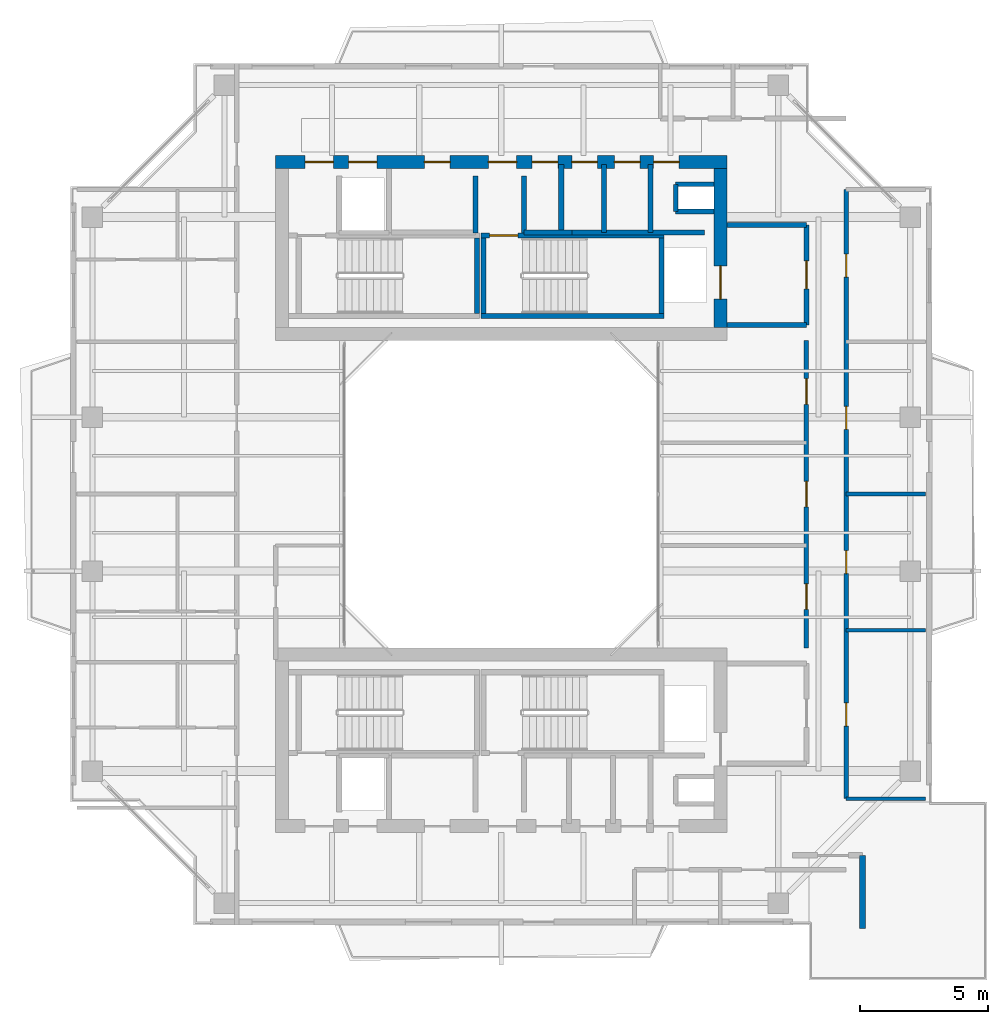
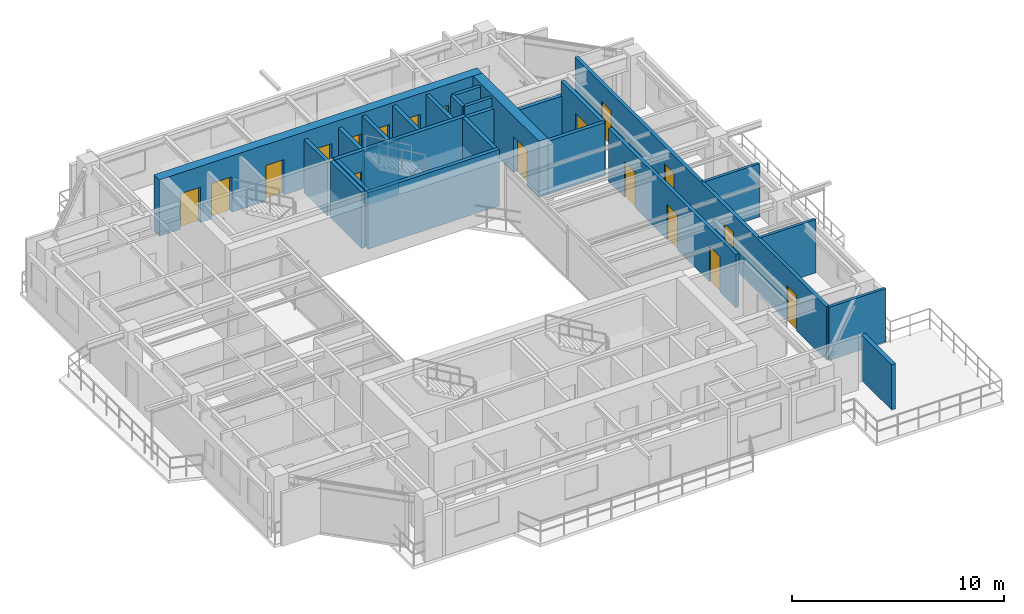
# One storey, part 12 of 15: 26 walls, 18 doors, 18 openings.
"""IFC4 building model written with IfcOpenShell, lengths in metres."""

from ifc_helpers import new_model, si_unit, direction, frame, frame_2d, origin, place, context, subcontext, project, spatial, rectangle, extrude, source, transform, mapped, material, layer, layer_set, type_object, element, fill, save


model = new_model("IFC4")

# Units and contexts
model_context = context("Model", 3, precision=1e-05, world=origin(), true_north=direction((0.0, 1.0)))
body_context = subcontext(model_context, "Body", "Model", "MODEL_VIEW")
ifc_project = project(units=[si_unit("LENGTHUNIT", "METRE"), si_unit("AREAUNIT", "SQUARE_METRE"), si_unit("VOLUMEUNIT", "CUBIC_METRE"), si_unit("PLANEANGLEUNIT", "RADIAN"), si_unit("MASSUNIT", "GRAM", prefix="KILO"), si_unit("THERMODYNAMICTEMPERATUREUNIT", "KELVIN"), si_unit("POWERUNIT", "WATT")], contexts=[model_context])

# Site, building, storey
site_placement = place(None, origin())
site = spatial("IfcSite", under=ifc_project, at=site_placement, CompositionType="ELEMENT")
building_placement = place(site_placement, origin())
building = spatial("IfcBuilding", under=site, at=building_placement, Name="Qiaomeng Ring Towers", CompositionType="ELEMENT")
storey_placement = place(building_placement, frame((0.0, 0.0, 213.25)))
storey = spatial("IfcBuildingStorey", under=building, at=storey_placement, Name="L62", CompositionType="ELEMENT", Elevation=213.25)

# Walls
ifc_material_1 = material(Name="Precast concrete C40", Category="concrete")
ifc_layer_1 = layer(ifc_material_1, 0.219970703125, Name="Precast concrete C40")
ifc_layer_set_1 = layer_set([ifc_layer_1], Name="Precast concrete C40")
wall_type_1 = type_object("IfcWallType", Name="ARC-WL-EW2", PredefinedType="STANDARD", material=ifc_layer_set_1)
wall_1_placement = place(storey_placement, frame((33.090087890625, 6.050048828125, 0.0), z_axis=(0.0, 0.0, 1.0), x_axis=(0.0, 1.0, 0.0)))
element("IfcWall", 1, at=wall_1_placement, inside=storey, type_object=wall_type_1, Name="L62 Spiral Terrace Return Wall SE", PredefinedType="STANDARD", context=body_context, shape_type="SweptSolid", body=[
    extrude(rectangle(XDim=2.85986328125, YDim=0.219970703125, at=frame_2d((1.429931640625, 0.0))), origin(), (0.0, 0.0, 1.0), 2.610107421875),
])
ifc_material_2 = material(Name="Autoclaved aerated concrete block", Category="concrete")
ifc_layer_2 = layer(ifc_material_2, 0.199951171875, Name="Autoclaved aerated concrete block")
ifc_layer_set_2 = layer_set([ifc_layer_2], Name="Autoclaved aerated concrete block")
wall_type_2 = type_object("IfcWallType", Name="ARC-WL-PW1", PredefinedType="PARTITIONING", material=ifc_layer_set_2)
wall_2_placement = place(storey_placement, frame((27.800048828125, 29.60009765625, 0.0), z_axis=(0.0, 0.0, 1.0), x_axis=(1.0, 0.0, 0.0)))
element("IfcWall", 2, at=wall_2_placement, inside=storey, type_object=wall_type_2, Name="L62 Interior Wall PW1", PredefinedType="PARTITIONING", context=body_context, shape_type="SweptSolid", body=[
    extrude(rectangle(XDim=3.099853515625, YDim=0.199951171875, at=frame_2d((1.5498046875, 0.0))), origin(), (0.0, 0.0, 1.0), 3.070068359375),
])
wall_3_placement = place(storey_placement, frame((27.800048828125, 33.5, 0.0), z_axis=(0.0, 0.0, 1.0), x_axis=(1.0, 0.0, 0.0)))
element("IfcWall", 3, at=wall_3_placement, inside=storey, type_object=wall_type_2, Name="L62 Interior Wall PW1", PredefinedType="PARTITIONING", context=body_context, shape_type="SweptSolid", body=[
    extrude(rectangle(XDim=3.099853515625, YDim=0.199951171875, at=frame_2d((1.5498046875, 0.0))), origin(), (0.0, 0.0, 1.0), 2.264892578125),
])

# Wall, opening, door
wall_4_placement = place(storey_placement, frame((30.89990234375, 29.60009765625, 0.0), z_axis=(0.0, 0.0, 1.0), x_axis=(0.0, 1.0, 0.0)))
wall_4 = element("IfcWall", 4, at=wall_4_placement, inside=storey, type_object=wall_type_2, Name="L62 Interior Wall PW1", PredefinedType="PARTITIONING", context=body_context, shape_type="SweptSolid", body=[
    extrude(rectangle(XDim=3.89990234375, YDim=0.199951171875, at=frame_2d((1.949951171875, 0.0))), origin(), (0.0, 0.0, 1.0), 3.070068359375),
])
opening_1_placement = place(wall_4_placement, frame((1.39990234375, 0.0, 0.0)))
opening_1 = element("IfcOpeningElement", 5, at=opening_1_placement, cuts=wall_4, Name="Opening FD3", PredefinedType="OPENING", context=body_context, shape_type="SweptSolid", body=[
    extrude(rectangle(XDim=1.10009765625, YDim=2.050048828125, at=frame_2d((0.550048828125, 1.02490234375))), frame((0.0, 0.10986328125, 0.0), z_axis=(0.0, -1.0, 0.0), x_axis=(1.0, 0.0, 0.0)), (0.0, 0.0, 1.0), 0.219970703125),
])
ifc_material_3 = material(Name="Galvanised steel", Category="steel")
door_type_1 = type_object("IfcDoorType", Name="ARC-DR-FD3", OperationType="NOTDEFINED", PredefinedType="DOOR", material=ifc_material_3)
shared_shape_1 = source(origin(), body_context, "Body", "SweptSolid", [
    extrude(rectangle(XDim=1.10009765625, YDim=2.050048828125, at=frame_2d((0.550048828125, 1.02490234375))), frame((0.0, 0.02490234375, 0.0), z_axis=(0.0, -1.0, 0.0), x_axis=(1.0, 0.0, 0.0)), (0.0, 0.0, 1.0), 0.050048828125),
])
door_1_placement = place(opening_1_placement, origin())
door_1 = element("IfcDoor", 6, at=door_1_placement, inside=storey, type_object=door_type_1, Name="L62 North FF Lobby Door", OperationType="SINGLE_SWING_LEFT", OverallHeight=2.050048828125, OverallWidth=1.10009765625, PredefinedType="DOOR", context=body_context, shape_type="MappedRepresentation", body=[
    mapped(shared_shape_1, transform((0.0, 0.0, 0.0), x_axis=(1.0, 0.0, 0.0), y_axis=(0.0, 1.0, 0.0), z_axis=(0.0, 0.0, 1.0), scale=1.0)),
])
fill(opening_1, door_1)

# Walls
for number, where, z_axis, x_axis, name in (
    (7, (18.0, 33.18994140625, 0.0), (0.0, 0.0, 1.0), (0.0, 1.0, 0.0), "L62 Interior Wall PW1"),
    (8, (19.8798828125, 33.18994140625, 0.0), (0.0, 0.0, 1.0), (0.0, 1.0, 0.0), "L62 Interior Wall PW1"),
):
    element("IfcWall", number, at=place(storey_placement, frame(where, z_axis=z_axis, x_axis=x_axis)), inside=storey, type_object=wall_type_2, Name=name, PredefinedType="PARTITIONING", context=body_context, shape_type="SweptSolid", body=[
        extrude(rectangle(XDim=2.2099609375, YDim=0.199951171875, at=frame_2d((1.10498046875, 0.0))), origin(), (0.0, 0.0, 1.0), 3.070068359375),
    ])
wall_5_placement = place(storey_placement, frame((24.820068359375, 33.199951171875, 0.0), z_axis=(0.0, 0.0, 1.0), x_axis=(0.0, 1.0, 0.0)))
element("IfcWall", 9, at=wall_5_placement, inside=storey, type_object=wall_type_2, Name="L62 Interior Wall PW1", PredefinedType="PARTITIONING", context=body_context, shape_type="SweptSolid", body=[
    extrude(rectangle(XDim=2.650146484375, YDim=0.199951171875, at=frame_2d((1.3251953125, 0.0))), origin(), (0.0, 0.0, 1.0), 3.070068359375),
])
wall_6_placement = place(storey_placement, frame((19.8798828125, 33.199951171875, 0.0), z_axis=(0.0, 0.0, 1.0), x_axis=(1.0, 0.0, 0.0)))
element("IfcWall", 10, at=wall_6_placement, inside=storey, type_object=wall_type_2, Name="L62 Interior Wall PW1", PredefinedType="PARTITIONING", context=body_context, shape_type="SweptSolid", body=[
    extrude(rectangle(XDim=1.8701171875, YDim=0.199951171875, at=frame_2d((0.93505859375, 0.0))), origin(), (0.0, 0.0, 1.0), 3.070068359375),
])
for number, where, z_axis, x_axis, name in (
    (11, (21.340087890625, 33.199951171875, 0.0), (0.0, 0.0, 1.0), (0.0, 1.0, 0.0), "L62 Interior Wall PW1"),
    (12, (23.010009765625, 33.199951171875, 0.0), (0.0, 0.0, 1.0), (0.0, 1.0, 0.0), "L62 Interior Wall PW1"),
):
    element("IfcWall", number, at=place(storey_placement, frame(where, z_axis=z_axis, x_axis=x_axis)), inside=storey, type_object=wall_type_2, Name=name, PredefinedType="PARTITIONING", context=body_context, shape_type="SweptSolid", body=[
        extrude(rectangle(XDim=2.650146484375, YDim=0.199951171875, at=frame_2d((1.3251953125, 0.0))), origin(), (0.0, 0.0, 1.0), 3.070068359375),
    ])
wall_7_placement = place(storey_placement, frame((21.75, 33.199951171875, 0.0), z_axis=(0.0, 0.0, 1.0), x_axis=(1.0, 0.0, 0.0)))
element("IfcWall", 13, at=wall_7_placement, inside=storey, type_object=wall_type_2, Name="L62 Interior Wall PW1", PredefinedType="PARTITIONING", context=body_context, shape_type="SweptSolid", body=[
    extrude(rectangle(XDim=5.169921875, YDim=0.199951171875, at=frame_2d((2.5849609375, 0.0))), origin(), (0.0, 0.0, 1.0), 3.070068359375),
])

# Wall, openings, doors
ifc_layer_3 = layer(ifc_material_2, 0.179931640625, Name="Autoclaved aerated concrete block")
ifc_layer_set_3 = layer_set([ifc_layer_3], Name="Autoclaved aerated concrete block")
wall_type_3 = type_object("IfcWallType", Name="ARC-WL-PW2", PredefinedType="PARTITIONING", material=ifc_layer_set_3)
wall_8_placement = place(storey_placement, frame((30.89990234375, 17.0, 0.0), z_axis=(0.0, 0.0, 1.0), x_axis=(0.0, 1.0, 0.0)))
wall_8 = element("IfcWall", 14, at=wall_8_placement, inside=storey, type_object=wall_type_3, Name="L62 Interior Wall PW2", PredefinedType="PARTITIONING", context=body_context, shape_type="SweptSolid", body=[
    extrude(rectangle(XDim=12.0, YDim=0.179931640625, at=frame_2d((6.0, 0.0))), origin(), (0.0, 0.0, 1.0), 3.070068359375),
])
opening_2_placement = place(wall_8_placement, frame((1.5, 0.0, 0.0)))
opening_2 = element("IfcOpeningElement", 15, at=opening_2_placement, cuts=wall_8, Name="Opening FD4", PredefinedType="OPENING", context=body_context, shape_type="SweptSolid", body=[
    extrude(rectangle(XDim=1.0, YDim=2.050048828125, at=frame_2d((0.5, 1.02490234375))), frame((0.0, 0.099853515625, 0.0), z_axis=(0.0, -1.0, 0.0), x_axis=(1.0, 0.0, 0.0)), (0.0, 0.0, 1.0), 0.199951171875),
])
opening_3_placement = place(wall_8_placement, frame((5.5, 0.0, 0.0)))
opening_3 = element("IfcOpeningElement", 16, at=opening_3_placement, cuts=wall_8, Name="Opening FD4", PredefinedType="OPENING", context=body_context, shape_type="SweptSolid", body=[
    extrude(rectangle(XDim=1.0, YDim=2.050048828125, at=frame_2d((0.5, 1.02490234375))), frame((0.0, 0.099853515625, 0.0), z_axis=(0.0, -1.0, 0.0), x_axis=(1.0, 0.0, 0.0)), (0.0, 0.0, 1.0), 0.199951171875),
])
opening_4_placement = place(wall_8_placement, frame((9.5, 0.0, 0.0)))
opening_4 = element("IfcOpeningElement", 17, at=opening_4_placement, cuts=wall_8, Name="Opening FD4", PredefinedType="OPENING", context=body_context, shape_type="SweptSolid", body=[
    extrude(rectangle(XDim=1.0, YDim=2.050048828125, at=frame_2d((0.5, 1.02490234375))), frame((0.0, 0.099853515625, 0.0), z_axis=(0.0, -1.0, 0.0), x_axis=(1.0, 0.0, 0.0)), (0.0, 0.0, 1.0), 0.199951171875),
])
ifc_material_4 = material(Name="Engineered fire-rated oak timber", Category="wood")
door_type_2 = type_object("IfcDoorType", Name="ARC-DR-FD4", OperationType="NOTDEFINED", PredefinedType="DOOR", material=ifc_material_4)
shared_shape_2 = source(origin(), body_context, "Body", "SweptSolid", [
    extrude(rectangle(XDim=1.0, YDim=2.050048828125, at=frame_2d((0.5, 1.02490234375))), frame((0.0, 0.02490234375, 0.0), z_axis=(0.0, -1.0, 0.0), x_axis=(1.0, 0.0, 0.0)), (0.0, 0.0, 1.0), 0.050048828125),
])
door_2_placement = place(opening_2_placement, origin())
door_2 = element("IfcDoor", 18, at=door_2_placement, inside=storey, type_object=door_type_2, Name="L62 Door FD4", OperationType="SINGLE_SWING_RIGHT", OverallHeight=2.050048828125, OverallWidth=1.0, PredefinedType="DOOR", context=body_context, shape_type="MappedRepresentation", body=[
    mapped(shared_shape_2, transform((0.0, 0.0, 0.0), x_axis=(1.0, 0.0, 0.0), y_axis=(0.0, 1.0, 0.0), z_axis=(0.0, 0.0, 1.0), scale=1.0)),
])
fill(opening_2, door_2)
door_3_placement = place(opening_3_placement, origin())
door_3 = element("IfcDoor", 19, at=door_3_placement, inside=storey, type_object=door_type_2, Name="L62 Door FD4", OperationType="SINGLE_SWING_LEFT", OverallHeight=2.050048828125, OverallWidth=1.0, PredefinedType="DOOR", context=body_context, shape_type="MappedRepresentation", body=[
    mapped(shared_shape_2, transform((0.0, 0.0, 0.0), x_axis=(1.0, 0.0, 0.0), y_axis=(0.0, 1.0, 0.0), z_axis=(0.0, 0.0, 1.0), scale=1.0)),
])
fill(opening_3, door_3)
door_4_placement = place(opening_4_placement, origin())
door_4 = element("IfcDoor", 20, at=door_4_placement, inside=storey, type_object=door_type_2, Name="L62 Door FD4", OperationType="SINGLE_SWING_RIGHT", OverallHeight=2.050048828125, OverallWidth=1.0, PredefinedType="DOOR", context=body_context, shape_type="MappedRepresentation", body=[
    mapped(shared_shape_2, transform((0.0, 0.0, 0.0), x_axis=(1.0, 0.0, 0.0), y_axis=(0.0, 1.0, 0.0), z_axis=(0.0, 0.0, 1.0), scale=1.0)),
])
fill(opening_4, door_4)

wall_9_placement = place(storey_placement, frame((32.449951171875, 11.1201171875, 0.0), z_axis=(0.0, 0.0, 1.0), x_axis=(0.0, 1.0, 0.0)))
wall_9 = element("IfcWall", 21, at=wall_9_placement, inside=storey, type_object=wall_type_3, Name="L62 Interior Wall PW2", PredefinedType="PARTITIONING", context=body_context, shape_type="SweptSolid", body=[
    extrude(rectangle(XDim=23.759765625, YDim=0.179931640625, at=frame_2d((11.8798828125, 0.0))), origin(), (0.0, 0.0, 1.0), 3.070068359375),
])
opening_5_placement = place(wall_9_placement, frame((2.8349609375, 0.0, 0.0)))
opening_5 = element("IfcOpeningElement", 22, at=opening_5_placement, cuts=wall_9, Name="Opening ID1", PredefinedType="OPENING", context=body_context, shape_type="SweptSolid", body=[
    extrude(rectangle(XDim=0.89990234375, YDim=2.050048828125, at=frame_2d((0.449951171875, 1.02490234375))), frame((0.0, 0.099853515625, 0.0), z_axis=(0.0, -1.0, 0.0), x_axis=(1.0, 0.0, 0.0)), (0.0, 0.0, 1.0), 0.199951171875),
])
opening_6_placement = place(wall_9_placement, frame((8.77490234375, 0.0, 0.0)))
opening_6 = element("IfcOpeningElement", 23, at=opening_6_placement, cuts=wall_9, Name="Opening ID1", PredefinedType="OPENING", context=body_context, shape_type="SweptSolid", body=[
    extrude(rectangle(XDim=0.89990234375, YDim=2.050048828125, at=frame_2d((0.449951171875, 1.02490234375))), frame((0.0, 0.099853515625, 0.0), z_axis=(0.0, -1.0, 0.0), x_axis=(1.0, 0.0, 0.0)), (0.0, 0.0, 1.0), 0.199951171875),
])
opening_7_placement = place(wall_9_placement, frame((14.39990234375, 0.0, 0.0)))
opening_7 = element("IfcOpeningElement", 24, at=opening_7_placement, cuts=wall_9, Name="Opening ID1", PredefinedType="OPENING", context=body_context, shape_type="SweptSolid", body=[
    extrude(rectangle(XDim=0.89990234375, YDim=2.050048828125, at=frame_2d((0.449951171875, 1.02490234375))), frame((0.0, 0.099853515625, 0.0), z_axis=(0.0, -1.0, 0.0), x_axis=(1.0, 0.0, 0.0)), (0.0, 0.0, 1.0), 0.199951171875),
])
opening_8_placement = place(wall_9_placement, frame((20.340087890625, 0.0, 0.0)))
opening_8 = element("IfcOpeningElement", 25, at=opening_8_placement, cuts=wall_9, Name="Opening ID1", PredefinedType="OPENING", context=body_context, shape_type="SweptSolid", body=[
    extrude(rectangle(XDim=0.89990234375, YDim=2.050048828125, at=frame_2d((0.449951171875, 1.02490234375))), frame((0.0, 0.099853515625, 0.0), z_axis=(0.0, -1.0, 0.0), x_axis=(1.0, 0.0, 0.0)), (0.0, 0.0, 1.0), 0.199951171875),
])
ifc_material_5 = material(Name="Engineered oak timber", Category="wood")
door_type_3 = type_object("IfcDoorType", Name="ARC-DR-ID1", OperationType="NOTDEFINED", PredefinedType="DOOR", material=ifc_material_5)
shared_shape_3 = source(origin(), body_context, "Body", "SweptSolid", [
    extrude(rectangle(XDim=0.89990234375, YDim=2.050048828125, at=frame_2d((0.449951171875, 1.02490234375))), frame((0.0, 0.02490234375, 0.0), z_axis=(0.0, -1.0, 0.0), x_axis=(1.0, 0.0, 0.0)), (0.0, 0.0, 1.0), 0.050048828125),
])
door_5_placement = place(opening_5_placement, origin())
door_5 = element("IfcDoor", 26, at=door_5_placement, inside=storey, type_object=door_type_3, Name="L62 Door ID1", OperationType="SINGLE_SWING_LEFT", OverallHeight=2.050048828125, OverallWidth=0.89990234375, PredefinedType="DOOR", context=body_context, shape_type="MappedRepresentation", body=[
    mapped(shared_shape_3, transform((0.0, 0.0, 0.0), x_axis=(1.0, 0.0, 0.0), y_axis=(0.0, 1.0, 0.0), z_axis=(0.0, 0.0, 1.0), scale=1.0)),
])
fill(opening_5, door_5)
door_6_placement = place(opening_6_placement, origin())
door_6 = element("IfcDoor", 27, at=door_6_placement, inside=storey, type_object=door_type_3, Name="L62 Door ID1", OperationType="SINGLE_SWING_RIGHT", OverallHeight=2.050048828125, OverallWidth=0.89990234375, PredefinedType="DOOR", context=body_context, shape_type="MappedRepresentation", body=[
    mapped(shared_shape_3, transform((0.0, 0.0, 0.0), x_axis=(1.0, 0.0, 0.0), y_axis=(0.0, 1.0, 0.0), z_axis=(0.0, 0.0, 1.0), scale=1.0)),
])
fill(opening_6, door_6)
door_7_placement = place(opening_7_placement, origin())
door_7 = element("IfcDoor", 28, at=door_7_placement, inside=storey, type_object=door_type_3, Name="L62 Door ID1", OperationType="SINGLE_SWING_LEFT", OverallHeight=2.050048828125, OverallWidth=0.89990234375, PredefinedType="DOOR", context=body_context, shape_type="MappedRepresentation", body=[
    mapped(shared_shape_3, transform((0.0, 0.0, 0.0), x_axis=(1.0, 0.0, 0.0), y_axis=(0.0, 1.0, 0.0), z_axis=(0.0, 0.0, 1.0), scale=1.0)),
])
fill(opening_7, door_7)
door_8_placement = place(opening_8_placement, origin())
door_8 = element("IfcDoor", 29, at=door_8_placement, inside=storey, type_object=door_type_3, Name="L62 Door ID1", OperationType="SINGLE_SWING_RIGHT", OverallHeight=2.050048828125, OverallWidth=0.89990234375, PredefinedType="DOOR", context=body_context, shape_type="MappedRepresentation", body=[
    mapped(shared_shape_3, transform((0.0, 0.0, 0.0), x_axis=(1.0, 0.0, 0.0), y_axis=(0.0, 1.0, 0.0), z_axis=(0.0, 0.0, 1.0), scale=1.0)),
])
fill(opening_8, door_8)

# Walls
ifc_material_6 = material(Name="Gypsum fireboard steel-stud partition", Category="steel")
ifc_layer_4 = layer(ifc_material_6, 0.14990234375, Name="Gypsum fireboard steel-stud partition")
ifc_layer_set_4 = layer_set([ifc_layer_4], Name="Gypsum fireboard steel-stud partition")
wall_type_4 = type_object("IfcWallType", Name="ARC-WL-PW3", PredefinedType="PARTITIONING", material=ifc_layer_set_4)
for number, where, z_axis, x_axis, name in (
    (30, (32.449951171875, 11.1201171875, 0.0), (0.0, 0.0, 1.0), (1.0, 0.0, 0.0), "L62 Interior Wall PW3"),
    (31, (32.449951171875, 17.68994140625, 0.0), (0.0, 0.0, 1.0), (1.0, 0.0, 0.0), "L62 Interior Wall PW3"),
    (32, (32.449951171875, 23.0, 0.0), (0.0, 0.0, 1.0), (1.0, 0.0, 0.0), "L62 Interior Wall PW3"),
):
    element("IfcWall", number, at=place(storey_placement, frame(where, z_axis=z_axis, x_axis=x_axis)), inside=storey, type_object=wall_type_4, Name=name, PredefinedType="PARTITIONING", context=body_context, shape_type="SweptSolid", body=[
        extrude(rectangle(XDim=3.10009765625, YDim=0.14990234375, at=frame_2d((1.550048828125, 0.0))), origin(), (0.0, 0.0, 1.0), 3.070068359375),
    ])
ifc_material_7 = material(Name="Concrete C40", Category="concrete")
ifc_layer_5 = layer(ifc_material_7, 0.199951171875, Name="Concrete C40")
ifc_layer_set_5 = layer_set([ifc_layer_5], Name="Concrete C40")
wall_type_5 = type_object("IfcWallType", Name="STR-WL-STSHAFT", PredefinedType="SHEAR", material=ifc_layer_set_5)
wall_10_placement = place(storey_placement, frame((25.800048828125, 34.02001953125, 0.0), z_axis=(0.0, 0.0, 1.0), x_axis=(0.0, 1.0, 0.0)))
element("IfcWall", 33, at=wall_10_placement, inside=storey, type_object=wall_type_5, Name="L62 Riser RSR1 West Shaft Wall N", PredefinedType="SHEAR", context=body_context, shape_type="SweptSolid", body=[
    extrude(rectangle(XDim=1.06005859375, YDim=0.179931640625, at=frame_2d((0.530029296875, 0.0))), origin(), (0.0, 0.0, 1.0), 3.070068359375),
])
for number, where, z_axis, x_axis, name in (
    (34, (25.800048828125, 35.080078125, 0.0), (0.0, 0.0, 1.0), (1.0, 0.0, 0.0), "L62 Riser RSR1 North Shaft Wall N"),
    (35, (25.800048828125, 34.02001953125, 0.0), (0.0, 0.0, 1.0), (1.0, 0.0, 0.0), "L62 Riser RSR1 South Shaft Wall N"),
):
    element("IfcWall", number, at=place(storey_placement, frame(where, z_axis=z_axis, x_axis=x_axis)), inside=storey, type_object=wall_type_5, Name=name, PredefinedType="SHEAR", context=body_context, shape_type="SweptSolid", body=[
        extrude(rectangle(XDim=1.5, YDim=0.179931640625, at=frame_2d((0.75, 0.0))), origin(), (0.0, 0.0, 1.0), 3.070068359375),
    ])
wall_11_placement = place(storey_placement, frame((18.050048828125, 30.050048828125, 0.0), z_axis=(0.0, 0.0, 1.0), x_axis=(0.0, 1.0, 0.0)))
element("IfcWall", 36, at=wall_11_placement, inside=storey, type_object=wall_type_5, Name="L62 Stair ST1 East Shaft Shear Wall", PredefinedType="SHEAR", context=body_context, shape_type="SweptSolid", body=[
    extrude(rectangle(XDim=2.93994140625, YDim=0.199951171875, at=frame_2d((1.469970703125, 0.0))), origin(), (0.0, 0.0, 1.0), 3.25),
])
wall_12_placement = place(storey_placement, frame((18.199951171875, 29.949951171875, 0.0), z_axis=(0.0, 0.0, 1.0), x_axis=(1.0, 0.0, 0.0)))
element("IfcWall", 37, at=wall_12_placement, inside=storey, type_object=wall_type_5, Name="L62 Stair ST2 South Shaft Shear Wall", PredefinedType="SHEAR", context=body_context, shape_type="SweptSolid", body=[
    extrude(rectangle(XDim=7.150146484375, YDim=0.199951171875, at=frame_2d((3.5751953125, 0.0))), origin(), (0.0, 0.0, 1.0), 3.25),
])

# Wall, opening, door
wall_13_placement = place(storey_placement, frame((18.199951171875, 33.090087890625, 0.0), z_axis=(0.0, 0.0, 1.0), x_axis=(1.0, 0.0, 0.0)))
wall_13 = element("IfcWall", 38, at=wall_13_placement, inside=storey, type_object=wall_type_5, Name="L62 Stair ST2 North Shaft Shear Wall", PredefinedType="SHEAR", context=body_context, shape_type="SweptSolid", body=[
    extrude(rectangle(XDim=7.150146484375, YDim=0.199951171875, at=frame_2d((3.5751953125, 0.0))), origin(), (0.0, 0.0, 1.0), 3.25),
])
opening_9_placement = place(wall_13_placement, frame((0.35009765625, 0.0, 0.0)))
opening_9 = element("IfcOpeningElement", 39, at=opening_9_placement, cuts=wall_13, Name="Opening FD3", PredefinedType="OPENING", context=body_context, shape_type="SweptSolid", body=[
    extrude(rectangle(XDim=1.10009765625, YDim=2.050048828125, at=frame_2d((0.550048828125, 1.02490234375))), frame((0.0, 0.10986328125, 0.0), z_axis=(0.0, -1.0, 0.0), x_axis=(1.0, 0.0, 0.0)), (0.0, 0.0, 1.0), 0.219970703125),
])
door_9_placement = place(opening_9_placement, origin())
door_9 = element("IfcDoor", 40, at=door_9_placement, inside=storey, type_object=door_type_1, Name="L62 Stair ST2 Exit Door", OperationType="SINGLE_SWING_RIGHT", OverallHeight=2.050048828125, OverallWidth=1.10009765625, PredefinedType="DOOR", context=body_context, shape_type="MappedRepresentation", body=[
    mapped(shared_shape_1, transform((0.0, 0.0, 0.0), x_axis=(1.0, 0.0, 0.0), y_axis=(0.0, 1.0, 0.0), z_axis=(0.0, 0.0, 1.0), scale=1.0)),
])
fill(opening_9, door_9)

# Walls
for number, where, z_axis, x_axis, name in (
    (41, (18.300048828125, 30.050048828125, 0.0), (0.0, 0.0, 1.0), (0.0, 1.0, 0.0), "L62 Stair ST2 West Shaft Shear Wall"),
    (42, (25.25, 30.050048828125, 0.0), (0.0, 0.0, 1.0), (0.0, 1.0, 0.0), "L62 Stair ST2 East Shaft Shear Wall"),
):
    element("IfcWall", number, at=place(storey_placement, frame(where, z_axis=z_axis, x_axis=x_axis)), inside=storey, type_object=wall_type_5, Name=name, PredefinedType="SHEAR", context=body_context, shape_type="SweptSolid", body=[
        extrude(rectangle(XDim=2.93994140625, YDim=0.199951171875, at=frame_2d((1.469970703125, 0.0))), origin(), (0.0, 0.0, 1.0), 3.25),
    ])

# Wall, openings, doors
ifc_layer_6 = layer(ifc_material_7, 0.5, Name="Concrete C40")
ifc_layer_set_6 = layer_set([ifc_layer_6], Name="Concrete C40")
wall_type_6 = type_object("IfcWallType", Name="STR-WL-SW3", PredefinedType="SHEAR", material=ifc_layer_set_6)
wall_14_placement = place(storey_placement, frame((10.199951171875, 35.949951171875, 0.0), z_axis=(0.0, 0.0, 1.0), x_axis=(1.0, 0.0, 0.0)))
wall_14 = element("IfcWall", 43, at=wall_14_placement, inside=storey, type_object=wall_type_6, Name="L62 T1NC north core shear wall", PredefinedType="SHEAR", context=body_context, shape_type="SweptSolid", body=[
    extrude(rectangle(XDim=17.60009765625, YDim=0.5, at=frame_2d((8.800048828125, 0.0))), origin(), (0.0, 0.0, 1.0), 3.25),
])
opening_10_placement = place(wall_14_placement, frame((1.14990234375, 0.0, 0.0)))
opening_10 = element("IfcOpeningElement", 44, at=opening_10_placement, cuts=wall_14, Name="Opening FD3", PredefinedType="OPENING", context=body_context, shape_type="SweptSolid", body=[
    extrude(rectangle(XDim=1.10009765625, YDim=2.050048828125, at=frame_2d((0.550048828125, 1.02490234375))), frame((0.0, 0.260009765625, 0.0), z_axis=(0.0, -1.0, 0.0), x_axis=(1.0, 0.0, 0.0)), (0.0, 0.0, 1.0), 0.52001953125),
])
opening_11_placement = place(wall_14_placement, frame((8.300048828125, 0.0, 0.0)))
opening_11 = element("IfcOpeningElement", 45, at=opening_11_placement, cuts=wall_14, Name="Opening FD3", PredefinedType="OPENING", context=body_context, shape_type="SweptSolid", body=[
    extrude(rectangle(XDim=1.10009765625, YDim=2.050048828125, at=frame_2d((0.550048828125, 1.02490234375))), frame((0.0, 0.260009765625, 0.0), z_axis=(0.0, -1.0, 0.0), x_axis=(1.0, 0.0, 0.0)), (0.0, 0.0, 1.0), 0.52001953125),
])
opening_12_placement = place(wall_14_placement, frame((2.85009765625, 0.0, 0.0)))
opening_12 = element("IfcOpeningElement", 46, at=opening_12_placement, cuts=wall_14, Name="Opening LD1", PredefinedType="OPENING", context=body_context, shape_type="SweptSolid", body=[
    extrude(rectangle(XDim=1.10009765625, YDim=2.050048828125, at=frame_2d((0.550048828125, 1.02490234375))), frame((0.0, 0.260009765625, 0.0), z_axis=(0.0, -1.0, 0.0), x_axis=(1.0, 0.0, 0.0)), (0.0, 0.0, 1.0), 0.52001953125),
])
opening_13_placement = place(wall_14_placement, frame((5.800048828125, 0.0, 0.0)))
opening_13 = element("IfcOpeningElement", 47, at=opening_13_placement, cuts=wall_14, Name="Opening FD1", PredefinedType="OPENING", context=body_context, shape_type="SweptSolid", body=[
    extrude(rectangle(XDim=1.0, YDim=2.050048828125, at=frame_2d((0.5, 1.02490234375))), frame((0.0, 0.260009765625, 0.0), z_axis=(0.0, -1.0, 0.0), x_axis=(1.0, 0.0, 0.0)), (0.0, 0.0, 1.0), 0.52001953125),
])
opening_14_placement = place(wall_14_placement, frame((14.739990234375, 0.0, 0.0)))
opening_14 = element("IfcOpeningElement", 48, at=opening_14_placement, cuts=wall_14, Name="Opening FD1", PredefinedType="OPENING", context=body_context, shape_type="SweptSolid", body=[
    extrude(rectangle(XDim=1.0, YDim=2.050048828125, at=frame_2d((0.5, 1.02490234375))), frame((0.0, 0.260009765625, 0.0), z_axis=(0.0, -1.0, 0.0), x_axis=(1.0, 0.0, 0.0)), (0.0, 0.0, 1.0), 0.52001953125),
])
opening_15_placement = place(wall_14_placement, frame((10.0048828125, 0.0, 0.0)))
opening_15 = element("IfcOpeningElement", 49, at=opening_15_placement, cuts=wall_14, Name="Opening FD1", PredefinedType="OPENING", context=body_context, shape_type="SweptSolid", body=[
    extrude(rectangle(XDim=1.0, YDim=2.050048828125, at=frame_2d((0.5, 1.02490234375))), frame((0.0, 0.260009765625, 0.0), z_axis=(0.0, -1.0, 0.0), x_axis=(1.0, 0.0, 0.0)), (0.0, 0.0, 1.0), 0.52001953125),
])
opening_16_placement = place(wall_14_placement, frame((11.550048828125, 0.0, 0.0)))
opening_16 = element("IfcOpeningElement", 50, at=opening_16_placement, cuts=wall_14, Name="Opening FD1", PredefinedType="OPENING", context=body_context, shape_type="SweptSolid", body=[
    extrude(rectangle(XDim=1.0, YDim=2.050048828125, at=frame_2d((0.5, 1.02490234375))), frame((0.0, 0.260009765625, 0.0), z_axis=(0.0, -1.0, 0.0), x_axis=(1.0, 0.0, 0.0)), (0.0, 0.0, 1.0), 0.52001953125),
])
opening_17_placement = place(wall_14_placement, frame((13.215087890625, 0.0, 0.0)))
opening_17 = element("IfcOpeningElement", 51, at=opening_17_placement, cuts=wall_14, Name="Opening FD1", PredefinedType="OPENING", context=body_context, shape_type="SweptSolid", body=[
    extrude(rectangle(XDim=1.0, YDim=2.050048828125, at=frame_2d((0.5, 1.02490234375))), frame((0.0, 0.260009765625, 0.0), z_axis=(0.0, -1.0, 0.0), x_axis=(1.0, 0.0, 0.0)), (0.0, 0.0, 1.0), 0.52001953125),
])
door_10_placement = place(opening_10_placement, origin())
door_10 = element("IfcDoor", 52, at=door_10_placement, inside=storey, type_object=door_type_1, Name="L62 Stair ST1 Lobby Door", OperationType="SINGLE_SWING_LEFT", OverallHeight=2.050048828125, OverallWidth=1.10009765625, PredefinedType="DOOR", context=body_context, shape_type="MappedRepresentation", body=[
    mapped(shared_shape_1, transform((0.0, 0.0, 0.0), x_axis=(1.0, 0.0, 0.0), y_axis=(0.0, 1.0, 0.0), z_axis=(0.0, 0.0, 1.0), scale=1.0)),
])
fill(opening_10, door_10)
door_11_placement = place(opening_11_placement, origin())
door_11 = element("IfcDoor", 53, at=door_11_placement, inside=storey, type_object=door_type_1, Name="L62 Stair ST2 Lobby Door", OperationType="SINGLE_SWING_LEFT", OverallHeight=2.050048828125, OverallWidth=1.10009765625, PredefinedType="DOOR", context=body_context, shape_type="MappedRepresentation", body=[
    mapped(shared_shape_1, transform((0.0, 0.0, 0.0), x_axis=(1.0, 0.0, 0.0), y_axis=(0.0, 1.0, 0.0), z_axis=(0.0, 0.0, 1.0), scale=1.0)),
])
fill(opening_11, door_11)
ifc_material_8 = material(Name="Stainless steel 316", Category="steel")
door_type_4 = type_object("IfcDoorType", Name="ARC-DR-LD1", OperationType="NOTDEFINED", PredefinedType="DOOR", material=ifc_material_8)
door_12_placement = place(opening_12_placement, origin())
door_12 = element("IfcDoor", 54, at=door_12_placement, inside=storey, type_object=door_type_4, Name="L62 High-Zone Lift LP5 Landing Door", OperationType="SLIDING_TO_LEFT", OverallHeight=2.050048828125, OverallWidth=1.10009765625, PredefinedType="DOOR", context=body_context, shape_type="MappedRepresentation", body=[
    mapped(shared_shape_1, transform((0.0, 0.0, 0.0), x_axis=(1.0, 0.0, 0.0), y_axis=(0.0, 1.0, 0.0), z_axis=(0.0, 0.0, 1.0), scale=1.0)),
])
fill(opening_12, door_12)
door_type_5 = type_object("IfcDoorType", Name="ARC-DR-FD1", OperationType="NOTDEFINED", PredefinedType="DOOR", material=ifc_material_3)
door_13_placement = place(opening_13_placement, origin())
door_13 = element("IfcDoor", 55, at=door_13_placement, inside=storey, type_object=door_type_5, Name="L62 High-Zone Facilities Office Door", OperationType="SINGLE_SWING_LEFT", OverallHeight=2.050048828125, OverallWidth=1.0, PredefinedType="DOOR", context=body_context, shape_type="MappedRepresentation", body=[
    mapped(shared_shape_2, transform((0.0, 0.0, 0.0), x_axis=(1.0, 0.0, 0.0), y_axis=(0.0, 1.0, 0.0), z_axis=(0.0, 0.0, 1.0), scale=1.0)),
])
fill(opening_13, door_13)
door_14_placement = place(opening_14_placement, origin())
door_14 = element("IfcDoor", 56, at=door_14_placement, inside=storey, type_object=door_type_5, Name="L62 North Electrical Riser Door", OperationType="SINGLE_SWING_LEFT", OverallHeight=2.050048828125, OverallWidth=1.0, PredefinedType="DOOR", context=body_context, shape_type="MappedRepresentation", body=[
    mapped(shared_shape_2, transform((0.0, 0.0, 0.0), x_axis=(1.0, 0.0, 0.0), y_axis=(0.0, 1.0, 0.0), z_axis=(0.0, 0.0, 1.0), scale=1.0)),
])
fill(opening_14, door_14)
door_15_placement = place(opening_15_placement, origin())
door_15 = element("IfcDoor", 57, at=door_15_placement, inside=storey, type_object=door_type_5, Name="L62 North Cleaners Cupboard Door", OperationType="SINGLE_SWING_LEFT", OverallHeight=2.050048828125, OverallWidth=1.0, PredefinedType="DOOR", context=body_context, shape_type="MappedRepresentation", body=[
    mapped(shared_shape_2, transform((0.0, 0.0, 0.0), x_axis=(1.0, 0.0, 0.0), y_axis=(0.0, 1.0, 0.0), z_axis=(0.0, 0.0, 1.0), scale=1.0)),
])
fill(opening_15, door_15)
door_16_placement = place(opening_16_placement, origin())
door_16 = element("IfcDoor", 58, at=door_16_placement, inside=storey, type_object=door_type_5, Name="L62 North Staff Tea Pantry Door", OperationType="SINGLE_SWING_RIGHT", OverallHeight=2.050048828125, OverallWidth=1.0, PredefinedType="DOOR", context=body_context, shape_type="MappedRepresentation", body=[
    mapped(shared_shape_2, transform((0.0, 0.0, 0.0), x_axis=(1.0, 0.0, 0.0), y_axis=(0.0, 1.0, 0.0), z_axis=(0.0, 0.0, 1.0), scale=1.0)),
])
fill(opening_16, door_16)
door_17_placement = place(opening_17_placement, origin())
door_17 = element("IfcDoor", 59, at=door_17_placement, inside=storey, type_object=door_type_5, Name="L62 North Records Study Door", OperationType="SINGLE_SWING_LEFT", OverallHeight=2.050048828125, OverallWidth=1.0, PredefinedType="DOOR", context=body_context, shape_type="MappedRepresentation", body=[
    mapped(shared_shape_2, transform((0.0, 0.0, 0.0), x_axis=(1.0, 0.0, 0.0), y_axis=(0.0, 1.0, 0.0), z_axis=(0.0, 0.0, 1.0), scale=1.0)),
])
fill(opening_17, door_17)

# Wall, opening, door
wall_15_placement = place(storey_placement, frame((27.550048828125, 29.5, 0.0), z_axis=(0.0, 0.0, 1.0), x_axis=(0.0, 1.0, 0.0)))
wall_15 = element("IfcWall", 60, at=wall_15_placement, inside=storey, type_object=wall_type_6, Name="L62 T1NC east core shear wall", PredefinedType="SHEAR", context=body_context, shape_type="SweptSolid", body=[
    extrude(rectangle(XDim=6.199951171875, YDim=0.5, at=frame_2d((3.10009765625, 0.0))), origin(), (0.0, 0.0, 1.0), 3.25),
])
opening_18_placement = place(wall_15_placement, frame((1.10009765625, 0.0, 0.0)))
opening_18 = element("IfcOpeningElement", 61, at=opening_18_placement, cuts=wall_15, Name="Opening LD2", PredefinedType="OPENING", context=body_context, shape_type="SweptSolid", body=[
    extrude(rectangle(XDim=1.300048828125, YDim=2.050048828125, at=frame_2d((0.64990234375, 1.02490234375))), frame((0.0, 0.260009765625, 0.0), z_axis=(0.0, -1.0, 0.0), x_axis=(1.0, 0.0, 0.0)), (0.0, 0.0, 1.0), 0.52001953125),
])
door_type_6 = type_object("IfcDoorType", Name="ARC-DR-LD2", OperationType="NOTDEFINED", PredefinedType="DOOR", material=ifc_material_8)
shared_shape_4 = source(origin(), body_context, "Body", "SweptSolid", [
    extrude(rectangle(XDim=1.300048828125, YDim=2.050048828125, at=frame_2d((0.64990234375, 1.02490234375))), frame((0.0, 0.02490234375, 0.0), z_axis=(0.0, -1.0, 0.0), x_axis=(1.0, 0.0, 0.0)), (0.0, 0.0, 1.0), 0.050048828125),
])
door_18_placement = place(opening_18_placement, origin())
door_18 = element("IfcDoor", 62, at=door_18_placement, inside=storey, type_object=door_type_6, Name="L62 Firefighting Lift FL1 Landing Door", OperationType="SLIDING_TO_LEFT", OverallHeight=2.050048828125, OverallWidth=1.300048828125, PredefinedType="DOOR", context=body_context, shape_type="MappedRepresentation", body=[
    mapped(shared_shape_4, transform((0.0, 0.0, 0.0), x_axis=(1.0, 0.0, 0.0), y_axis=(0.0, 1.0, 0.0), z_axis=(0.0, 0.0, 1.0), scale=1.0)),
])
fill(opening_18, door_18)

save(model, "model.ifc")
